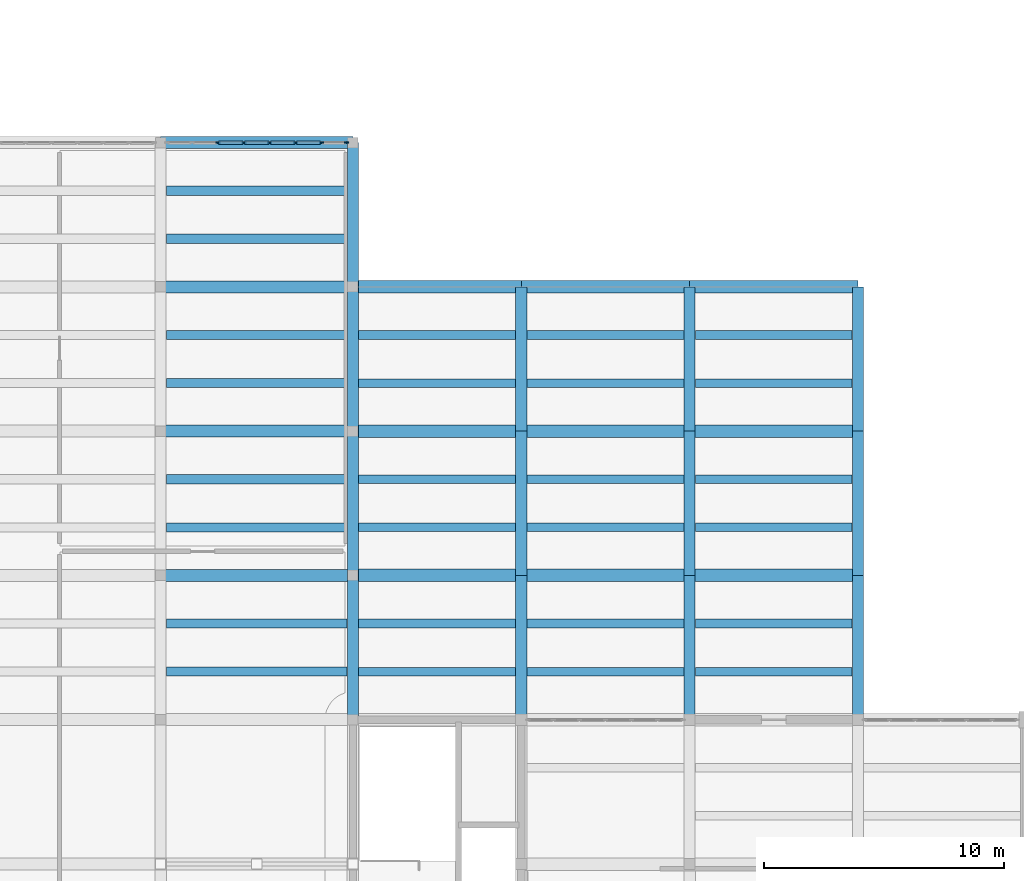
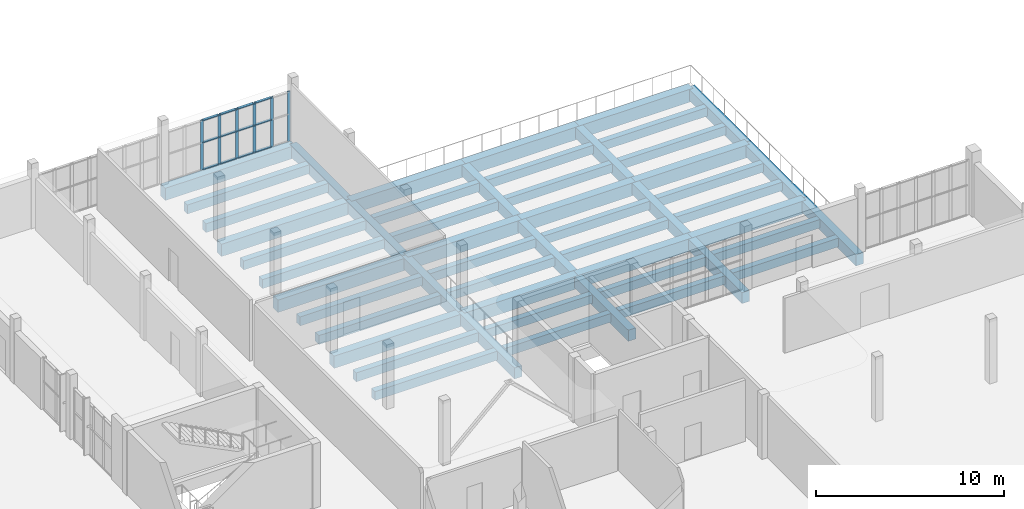
# One storey, part 35 of 70: 52 beams, 18 members, 1 element without a shape of its own.
"""IFC4 building model written with IfcOpenShell, lengths in metres."""

from ifc_helpers import new_model, si_unit, direction, frame, origin, origin_2d, place, context, subcontext, project, spatial, rectangle, extrude, material, layer, layer_set, material_profile, profile_set, type_object, element, aggregate, save


model = new_model("IFC4")

# Units and contexts
model_context = context("Model", 3, precision=1e-05, world=origin(), true_north=direction((0.0, 1.0)))
body_context = subcontext(model_context, "Body", "Model", "MODEL_VIEW")
ifc_project = project(units=[si_unit("LENGTHUNIT", "METRE"), si_unit("AREAUNIT", "SQUARE_METRE"), si_unit("VOLUMEUNIT", "CUBIC_METRE"), si_unit("PLANEANGLEUNIT", "RADIAN"), si_unit("MASSUNIT", "GRAM", prefix="KILO")], contexts=[model_context])

# Site, building, storey
site_placement = place(None, origin())
site = spatial("IfcSite", under=ifc_project, at=site_placement, CompositionType="ELEMENT")
building_placement = place(site_placement, origin())
building = spatial("IfcBuilding", under=site, at=building_placement, Name="Solvane Community Centre", CompositionType="ELEMENT")
storey_placement = place(building_placement, frame((0.0, 0.0, 9.60009765625)))
storey = spatial("IfcBuildingStorey", under=building, at=storey_placement, Name="L02", CompositionType="ELEMENT", Elevation=9.60009765625)

# Curtain wall, members
ifc_material_1 = material(Name="Anodised bronze aluminium AW-6063 T6", Category="aluminium")
ifc_layer = layer(ifc_material_1, 0.18994140625)
ifc_layer_set = layer_set([ifc_layer], Name="Anodised bronze aluminium AW-6063 T6")
curtain_wall_type = type_object("IfcCurtainWallType", Name="Boulevard Bronze Vision Curtain Wall [75x32dm]", PredefinedType="NOTDEFINED", material=ifc_layer_set)
curtain_wall_placement = place(storey_placement, origin())
curtain_wall = element("IfcCurtainWall", 1, at=curtain_wall_placement, inside=storey, type_object=curtain_wall_type, Name="Curtain Wall CW-L02-1322_600-201", PredefinedType="NOTDEFINED")
ifc_material_profile_1 = material_profile(ifc_material_1, rectangle(XDim=0.06005859375, YDim=0.18994140625, at=origin_2d()), Name="CW-M 60x190")
ifc_profile_set_1 = profile_set([ifc_material_profile_1], Name="Anodised bronze aluminium AW-6063 T6")
member_type_1 = type_object("IfcMemberType", Name="Boulevard Mullion 60x190", PredefinedType="MULLION", material=ifc_profile_set_1)
member_1_placement = place(storey_placement, frame((134.386474609375, 60.0, 0.0), z_axis=(0.0, 0.0, 1.0), x_axis=(0.0, 1.0, 0.0)))
member_1 = element("IfcMember", 2, at=member_1_placement, type_object=member_type_1, Name="CW02-75x32 mullion 3", PredefinedType="MULLION", context=body_context, shape_type="SweptSolid", body=[
    extrude(rectangle(XDim=0.06005859375, YDim=0.18994140625, at=origin_2d()), origin(), (0.0, 0.0, 1.0), 3.244873046875),
])
member_2_placement = place(storey_placement, frame((135.462158203125, 60.0, 0.0), z_axis=(0.0, 0.0, 1.0), x_axis=(0.0, 1.0, 0.0)))
member_2 = element("IfcMember", 3, at=member_2_placement, type_object=member_type_1, Name="CW02-75x32 mullion 4", PredefinedType="MULLION", context=body_context, shape_type="SweptSolid", body=[
    extrude(rectangle(XDim=0.06005859375, YDim=0.18994140625, at=origin_2d()), origin(), (0.0, 0.0, 1.0), 3.244873046875),
])
member_3_placement = place(storey_placement, frame((136.537841796875, 60.0, 0.0), z_axis=(0.0, 0.0, 1.0), x_axis=(0.0, 1.0, 0.0)))
member_3 = element("IfcMember", 4, at=member_3_placement, type_object=member_type_1, Name="CW02-75x32 mullion 5", PredefinedType="MULLION", context=body_context, shape_type="SweptSolid", body=[
    extrude(rectangle(XDim=0.06005859375, YDim=0.18994140625, at=origin_2d()), origin(), (0.0, 0.0, 1.0), 3.244873046875),
])
member_4_placement = place(storey_placement, frame((137.613525390625, 60.0, 0.0), z_axis=(0.0, 0.0, 1.0), x_axis=(0.0, 1.0, 0.0)))
member_4 = element("IfcMember", 5, at=member_4_placement, type_object=member_type_1, Name="CW02-75x32 mullion 6", PredefinedType="MULLION", context=body_context, shape_type="SweptSolid", body=[
    extrude(rectangle(XDim=0.06005859375, YDim=0.18994140625, at=origin_2d()), origin(), (0.0, 0.0, 1.0), 3.244873046875),
])
member_5_placement = place(storey_placement, frame((138.689208984375, 60.0, 0.0), z_axis=(0.0, 0.0, 1.0), x_axis=(0.0, 1.0, 0.0)))
member_5 = element("IfcMember", 6, at=member_5_placement, type_object=member_type_1, Name="CW02-75x32 mullion 7", PredefinedType="MULLION", context=body_context, shape_type="SweptSolid", body=[
    extrude(rectangle(XDim=0.06005859375, YDim=0.18994140625, at=origin_2d()), origin(), (0.0, 0.0, 1.0), 3.244873046875),
])
member_6_placement = place(storey_placement, frame((139.735107421875, 60.0, 0.0), z_axis=(0.0, 0.0, 1.0), x_axis=(0.0, 1.0, 0.0)))
member_6 = element("IfcMember", 7, at=member_6_placement, type_object=member_type_1, Name="CW02-75x32 mullion 8", PredefinedType="MULLION", context=body_context, shape_type="SweptSolid", body=[
    extrude(rectangle(XDim=0.06005859375, YDim=0.18994140625, at=origin_2d()), origin(), (0.0, 0.0, 1.0), 3.244873046875),
])
ifc_material_profile_2 = material_profile(ifc_material_1, rectangle(XDim=0.14990234375, YDim=0.06005859375, at=origin_2d()), Name="CW-T 60x150")
ifc_profile_set_2 = profile_set([ifc_material_profile_2], Name="Anodised bronze aluminium AW-6063 T6")
member_type_2 = type_object("IfcMemberType", Name="Boulevard Transom 60x150", PredefinedType="USERDEFINED", material=ifc_profile_set_2)
member_7_placement = place(storey_placement, frame((134.41650390625, 60.0, 0.02978515625), z_axis=(1.0, 0.0, 0.0), x_axis=(0.0, 1.0, 0.0)))
member_7 = element("IfcMember", 8, at=member_7_placement, type_object=member_type_2, Name="CW02-75x32 transom 3.1", ObjectType="TRANSOM", PredefinedType="USERDEFINED", context=body_context, shape_type="SweptSolid", body=[
    extrude(rectangle(XDim=0.14990234375, YDim=0.06005859375, at=origin_2d()), origin(), (0.0, 0.0, 1.0), 1.015625),
])
member_8_placement = place(storey_placement, frame((134.41650390625, 60.0, 1.784912109375), z_axis=(1.0, 0.0, 0.0), x_axis=(0.0, 1.0, 0.0)))
member_8 = element("IfcMember", 9, at=member_8_placement, type_object=member_type_2, Name="CW02-75x32 transom 3.2", ObjectType="TRANSOM", PredefinedType="USERDEFINED", context=body_context, shape_type="SweptSolid", body=[
    extrude(rectangle(XDim=0.14990234375, YDim=0.06005859375, at=origin_2d()), origin(), (0.0, 0.0, 1.0), 1.015625),
])
member_9_placement = place(storey_placement, frame((134.41650390625, 60.0, 3.21484375), z_axis=(1.0, 0.0, 0.0), x_axis=(0.0, 1.0, 0.0)))
member_9 = element("IfcMember", 10, at=member_9_placement, type_object=member_type_2, Name="CW02-75x32 transom 3.3", ObjectType="TRANSOM", PredefinedType="USERDEFINED", context=body_context, shape_type="SweptSolid", body=[
    extrude(rectangle(XDim=0.14990234375, YDim=0.06005859375, at=origin_2d()), origin(), (0.0, 0.0, 1.0), 1.015625),
])
member_10_placement = place(storey_placement, frame((135.4921875, 60.0, 0.02978515625), z_axis=(1.0, 0.0, 0.0), x_axis=(0.0, 1.0, 0.0)))
member_10 = element("IfcMember", 11, at=member_10_placement, type_object=member_type_2, Name="CW02-75x32 transom 4.1", ObjectType="TRANSOM", PredefinedType="USERDEFINED", context=body_context, shape_type="SweptSolid", body=[
    extrude(rectangle(XDim=0.14990234375, YDim=0.06005859375, at=origin_2d()), origin(), (0.0, 0.0, 1.0), 1.015625),
])
member_11_placement = place(storey_placement, frame((135.4921875, 60.0, 1.784912109375), z_axis=(1.0, 0.0, 0.0), x_axis=(0.0, 1.0, 0.0)))
member_11 = element("IfcMember", 12, at=member_11_placement, type_object=member_type_2, Name="CW02-75x32 transom 4.2", ObjectType="TRANSOM", PredefinedType="USERDEFINED", context=body_context, shape_type="SweptSolid", body=[
    extrude(rectangle(XDim=0.14990234375, YDim=0.06005859375, at=origin_2d()), origin(), (0.0, 0.0, 1.0), 1.015625),
])
member_12_placement = place(storey_placement, frame((135.4921875, 60.0, 3.21484375), z_axis=(1.0, 0.0, 0.0), x_axis=(0.0, 1.0, 0.0)))
member_12 = element("IfcMember", 13, at=member_12_placement, type_object=member_type_2, Name="CW02-75x32 transom 4.3", ObjectType="TRANSOM", PredefinedType="USERDEFINED", context=body_context, shape_type="SweptSolid", body=[
    extrude(rectangle(XDim=0.14990234375, YDim=0.06005859375, at=origin_2d()), origin(), (0.0, 0.0, 1.0), 1.015625),
])
member_13_placement = place(storey_placement, frame((136.56787109375, 60.0, 0.02978515625), z_axis=(1.0, 0.0, 0.0), x_axis=(0.0, 1.0, 0.0)))
member_13 = element("IfcMember", 14, at=member_13_placement, type_object=member_type_2, Name="CW02-75x32 transom 5.1", ObjectType="TRANSOM", PredefinedType="USERDEFINED", context=body_context, shape_type="SweptSolid", body=[
    extrude(rectangle(XDim=0.14990234375, YDim=0.06005859375, at=origin_2d()), origin(), (0.0, 0.0, 1.0), 1.015625),
])
member_14_placement = place(storey_placement, frame((136.56787109375, 60.0, 1.784912109375), z_axis=(1.0, 0.0, 0.0), x_axis=(0.0, 1.0, 0.0)))
member_14 = element("IfcMember", 15, at=member_14_placement, type_object=member_type_2, Name="CW02-75x32 transom 5.2", ObjectType="TRANSOM", PredefinedType="USERDEFINED", context=body_context, shape_type="SweptSolid", body=[
    extrude(rectangle(XDim=0.14990234375, YDim=0.06005859375, at=origin_2d()), origin(), (0.0, 0.0, 1.0), 1.015625),
])
member_15_placement = place(storey_placement, frame((136.56787109375, 60.0, 3.21484375), z_axis=(1.0, 0.0, 0.0), x_axis=(0.0, 1.0, 0.0)))
member_15 = element("IfcMember", 16, at=member_15_placement, type_object=member_type_2, Name="CW02-75x32 transom 5.3", ObjectType="TRANSOM", PredefinedType="USERDEFINED", context=body_context, shape_type="SweptSolid", body=[
    extrude(rectangle(XDim=0.14990234375, YDim=0.06005859375, at=origin_2d()), origin(), (0.0, 0.0, 1.0), 1.015625),
])
member_16_placement = place(storey_placement, frame((137.6435546875, 60.0, 0.02978515625), z_axis=(1.0, 0.0, 0.0), x_axis=(0.0, 1.0, 0.0)))
member_16 = element("IfcMember", 17, at=member_16_placement, type_object=member_type_2, Name="CW02-75x32 transom 6.1", ObjectType="TRANSOM", PredefinedType="USERDEFINED", context=body_context, shape_type="SweptSolid", body=[
    extrude(rectangle(XDim=0.14990234375, YDim=0.06005859375, at=origin_2d()), origin(), (0.0, 0.0, 1.0), 1.015625),
])
member_17_placement = place(storey_placement, frame((137.6435546875, 60.0, 1.784912109375), z_axis=(1.0, 0.0, 0.0), x_axis=(0.0, 1.0, 0.0)))
member_17 = element("IfcMember", 18, at=member_17_placement, type_object=member_type_2, Name="CW02-75x32 transom 6.2", ObjectType="TRANSOM", PredefinedType="USERDEFINED", context=body_context, shape_type="SweptSolid", body=[
    extrude(rectangle(XDim=0.14990234375, YDim=0.06005859375, at=origin_2d()), origin(), (0.0, 0.0, 1.0), 1.015625),
])
member_18_placement = place(storey_placement, frame((137.6435546875, 60.0, 3.21484375), z_axis=(1.0, 0.0, 0.0), x_axis=(0.0, 1.0, 0.0)))
member_18 = element("IfcMember", 19, at=member_18_placement, type_object=member_type_2, Name="CW02-75x32 transom 6.3", ObjectType="TRANSOM", PredefinedType="USERDEFINED", context=body_context, shape_type="SweptSolid", body=[
    extrude(rectangle(XDim=0.14990234375, YDim=0.06005859375, at=origin_2d()), origin(), (0.0, 0.0, 1.0), 1.015625),
])
aggregate(curtain_wall, [member_1, member_2, member_3, member_4, member_5, member_6, member_7, member_8, member_9, member_10, member_11, member_12, member_13, member_14, member_15, member_16, member_17, member_18])

# Beams
ifc_material_2 = material(Name="Concrete C35/45", Category="concrete")
ifc_material_profile_3 = material_profile(ifc_material_2, rectangle(XDim=0.4599609375, YDim=0.719970703125, at=origin_2d()), Name="RC 460x720")
ifc_profile_set_3 = profile_set([ifc_material_profile_3], Name="Concrete C35/45")
beam_type_1 = type_object("IfcBeamType", Name="RC Cloister Beam 460x720", PredefinedType="BEAM", material=ifc_profile_set_3)
for number, where, z_axis, x_axis, name in (
    (20, (140.0, 36.0, -0.580078125), (0.0, 1.0, 0.0), (-1.0, 0.0, 0.0), "Beam BM-L02-1400_360-1400_420"),
    (21, (140.0, 42.0, -0.580078125), (0.0, 1.0, 0.0), (-1.0, 0.0, 0.0), "Beam BM-L02-1400_420-1400_480"),
    (22, (140.0, 48.0, -0.580078125), (0.0, 1.0, 0.0), (-1.0, 0.0, 0.0), "Beam BM-L02-1400_480-1400_540"),
    (23, (140.0, 54.0, -0.580078125), (0.0, 1.0, 0.0), (-1.0, 0.0, 0.0), "Beam BM-L02-1400_540-1400_600"),
    (24, (147.0, 36.0, -0.580078125), (0.0, 1.0, 0.0), (-1.0, 0.0, 0.0), "Beam BM-L02-1470_360-1470_420"),
    (25, (147.0, 42.0, -0.580078125), (0.0, 1.0, 0.0), (-1.0, 0.0, 0.0), "Beam BM-L02-1470_420-1470_480"),
    (26, (147.0, 48.0, -0.580078125), (0.0, 1.0, 0.0), (-1.0, 0.0, 0.0), "Beam BM-L02-1470_480-1470_540"),
    (27, (154.0, 36.0, -0.580078125), (0.0, 1.0, 0.0), (-1.0, 0.0, 0.0), "Beam BM-L02-1540_360-1540_420"),
    (28, (154.0, 42.0, -0.580078125), (0.0, 1.0, 0.0), (-1.0, 0.0, 0.0), "Beam BM-L02-1540_420-1540_480"),
    (29, (154.0, 48.0, -0.580078125), (0.0, 1.0, 0.0), (-1.0, 0.0, 0.0), "Beam BM-L02-1540_480-1540_540"),
    (30, (161.0, 36.0, -0.580078125), (0.0, 1.0, 0.0), (-1.0, 0.0, 0.0), "Beam BM-L02-1610_360-1610_420"),
    (31, (161.0, 42.0, -0.580078125), (0.0, 1.0, 0.0), (-1.0, 0.0, 0.0), "Beam BM-L02-1610_420-1610_480"),
    (32, (161.0, 48.0, -0.580078125), (0.0, 1.0, 0.0), (-1.0, 0.0, 0.0), "Beam BM-L02-1610_480-1610_540"),
):
    element("IfcBeam", number, at=place(storey_placement, frame(where, z_axis=z_axis, x_axis=x_axis)), inside=storey, type_object=beam_type_1, Name=name, PredefinedType="BEAM", context=body_context, shape_type="SweptSolid", body=[
        extrude(rectangle(XDim=0.4599609375, YDim=0.719970703125, at=origin_2d()), origin(), (0.0, 0.0, 1.0), 6.0),
    ])
ifc_material_profile_4 = material_profile(ifc_material_2, rectangle(XDim=0.52001953125, YDim=0.830078125, at=origin_2d()), Name="RC 520x830")
ifc_profile_set_4 = profile_set([ifc_material_profile_4], Name="Concrete C35/45")
beam_type_2 = type_object("IfcBeamType", Name="RC Medium Girder 520x830", PredefinedType="USERDEFINED", material=ifc_profile_set_4)
for number, where, z_axis, x_axis, name in (
    (33, (140.0, 42.0, -0.635009765625), (1.0, 0.0, 0.0), (0.0, 1.0, 0.0), "Beam BM-L02-1400_420-1470_420"),
    (34, (147.0, 42.0, -0.635009765625), (1.0, 0.0, 0.0), (0.0, 1.0, 0.0), "Beam BM-L02-1470_420-1540_420"),
    (35, (154.0, 42.0, -0.635009765625), (1.0, 0.0, 0.0), (0.0, 1.0, 0.0), "Beam BM-L02-1540_420-1610_420"),
    (36, (140.0, 48.0, -0.635009765625), (1.0, 0.0, 0.0), (0.0, 1.0, 0.0), "Beam BM-L02-1400_480-1470_480"),
    (37, (147.0, 48.0, -0.635009765625), (1.0, 0.0, 0.0), (0.0, 1.0, 0.0), "Beam BM-L02-1470_480-1540_480"),
    (38, (154.0, 48.0, -0.635009765625), (1.0, 0.0, 0.0), (0.0, 1.0, 0.0), "Beam BM-L02-1540_480-1610_480"),
    (39, (140.0, 54.0, -0.635009765625), (1.0, 0.0, 0.0), (0.0, 1.0, 0.0), "Beam BM-L02-1400_540-1470_540"),
    (40, (147.0, 54.0, -0.635009765625), (1.0, 0.0, 0.0), (0.0, 1.0, 0.0), "Beam BM-L02-1470_540-1540_540"),
    (41, (154.0, 54.0, -0.635009765625), (1.0, 0.0, 0.0), (0.0, 1.0, 0.0), "Beam BM-L02-1540_540-1610_540"),
):
    element("IfcBeam", number, at=place(storey_placement, frame(where, z_axis=z_axis, x_axis=x_axis)), inside=storey, type_object=beam_type_2, Name=name, ObjectType="GIRDER", PredefinedType="USERDEFINED", context=body_context, shape_type="SweptSolid", body=[
        extrude(rectangle(XDim=0.52001953125, YDim=0.830078125, at=origin_2d()), origin(), (0.0, 0.0, 1.0), 7.0),
    ])
ifc_material_profile_5 = material_profile(ifc_material_2, rectangle(XDim=0.5, YDim=0.800048828125, at=origin_2d()), Name="RC 500x800")
ifc_profile_set_5 = profile_set([ifc_material_profile_5], Name="Concrete C35/45")
beam_type_3 = type_object("IfcBeamType", Name="RC Primary Girder 500x800", PredefinedType="USERDEFINED", material=ifc_profile_set_5)
for number, where, z_axis, x_axis, name in (
    (42, (132.0, 42.0, -0.6201171875), (1.0, 0.0, 0.0), (0.0, 1.0, 0.0), "Beam BM-L02-1320_420-1400_420"),
    (43, (132.0, 48.0, -0.6201171875), (1.0, 0.0, 0.0), (0.0, 1.0, 0.0), "Beam BM-L02-1320_480-1400_480"),
    (44, (132.0, 54.0, -0.6201171875), (1.0, 0.0, 0.0), (0.0, 1.0, 0.0), "Beam BM-L02-1320_540-1400_540"),
    (45, (132.0, 60.0, -0.6201171875), (1.0, 0.0, 0.0), (0.0, 1.0, 0.0), "Beam BM-L02-1320_600-1400_600"),
):
    element("IfcBeam", number, at=place(storey_placement, frame(where, z_axis=z_axis, x_axis=x_axis)), inside=storey, type_object=beam_type_3, Name=name, ObjectType="GIRDER", PredefinedType="USERDEFINED", context=body_context, shape_type="SweptSolid", body=[
        extrude(rectangle(XDim=0.5, YDim=0.800048828125, at=origin_2d()), origin(), (0.0, 0.0, 1.0), 8.0),
    ])
ifc_material_profile_6 = material_profile(ifc_material_2, rectangle(XDim=0.3798828125, YDim=0.580078125, at=origin_2d()), Name="RC 380x580")
ifc_profile_set_6 = profile_set([ifc_material_profile_6], Name="Concrete C35/45")
beam_type_4 = type_object("IfcBeamType", Name="RC Short Joist 380x580", PredefinedType="JOIST", material=ifc_profile_set_6)
for number, where, z_axis, x_axis, name in (
    (46, (132.239990234375, 38.0, -0.510009765625), (1.0, 0.0, 0.0), (0.0, 1.0, 0.0), "Beam BM-L02-1322_380-1398_380"),
    (47, (132.239990234375, 40.0, -0.510009765625), (1.0, 0.0, 0.0), (0.0, 1.0, 0.0), "Beam BM-L02-1322_400-1398_400"),
    (48, (132.239990234375, 44.0, -0.510009765625), (1.0, 0.0, 0.0), (0.0, 1.0, 0.0), "Beam BM-L02-1322_440-1398_440"),
    (49, (132.239990234375, 46.0, -0.510009765625), (1.0, 0.0, 0.0), (0.0, 1.0, 0.0), "Beam BM-L02-1322_460-1398_460"),
    (50, (132.239990234375, 50.0, -0.510009765625), (1.0, 0.0, 0.0), (0.0, 1.0, 0.0), "Beam BM-L02-1322_500-1398_500"),
    (51, (132.239990234375, 52.0, -0.510009765625), (1.0, 0.0, 0.0), (0.0, 1.0, 0.0), "Beam BM-L02-1322_520-1398_520"),
    (52, (132.239990234375, 56.0, -0.510009765625), (1.0, 0.0, 0.0), (0.0, 1.0, 0.0), "Beam BM-L02-1322_560-1398_560"),
    (53, (132.239990234375, 58.0, -0.510009765625), (1.0, 0.0, 0.0), (0.0, 1.0, 0.0), "Beam BM-L02-1322_580-1398_580"),
):
    element("IfcBeam", number, at=place(storey_placement, frame(where, z_axis=z_axis, x_axis=x_axis)), inside=storey, type_object=beam_type_4, Name=name, PredefinedType="JOIST", context=body_context, shape_type="SweptSolid", body=[
        extrude(rectangle(XDim=0.3798828125, YDim=0.580078125, at=origin_2d()), origin(), (0.0, 0.0, 1.0), 7.52001953125),
    ])
ifc_material_profile_7 = material_profile(ifc_material_2, rectangle(XDim=0.360107421875, YDim=0.56005859375, at=origin_2d()), Name="RC 360x560")
ifc_profile_set_7 = profile_set([ifc_material_profile_7], Name="Concrete C35/45")
beam_type_5 = type_object("IfcBeamType", Name="RC Terrace Joist 360x560", PredefinedType="JOIST", material=ifc_profile_set_7)
for number, where, z_axis, x_axis, name in (
    (54, (140.239990234375, 38.0, -0.5), (1.0, 0.0, 0.0), (0.0, 1.0, 0.0), "Beam BM-L02-1402_380-1468_380"),
    (55, (140.239990234375, 40.0, -0.5), (1.0, 0.0, 0.0), (0.0, 1.0, 0.0), "Beam BM-L02-1402_400-1468_400"),
    (56, (140.239990234375, 44.0, -0.5), (1.0, 0.0, 0.0), (0.0, 1.0, 0.0), "Beam BM-L02-1402_440-1468_440"),
    (57, (140.239990234375, 46.0, -0.5), (1.0, 0.0, 0.0), (0.0, 1.0, 0.0), "Beam BM-L02-1402_460-1468_460"),
    (58, (140.239990234375, 50.0, -0.5), (1.0, 0.0, 0.0), (0.0, 1.0, 0.0), "Beam BM-L02-1402_500-1468_500"),
    (59, (140.239990234375, 52.0, -0.5), (1.0, 0.0, 0.0), (0.0, 1.0, 0.0), "Beam BM-L02-1402_520-1468_520"),
    (60, (147.239990234375, 38.0, -0.5), (1.0, 0.0, 0.0), (0.0, 1.0, 0.0), "Beam BM-L02-1472_380-1538_380"),
    (61, (147.239990234375, 40.0, -0.5), (1.0, 0.0, 0.0), (0.0, 1.0, 0.0), "Beam BM-L02-1472_400-1538_400"),
    (62, (147.239990234375, 44.0, -0.5), (1.0, 0.0, 0.0), (0.0, 1.0, 0.0), "Beam BM-L02-1472_440-1538_440"),
    (63, (147.239990234375, 46.0, -0.5), (1.0, 0.0, 0.0), (0.0, 1.0, 0.0), "Beam BM-L02-1472_460-1538_460"),
    (64, (147.239990234375, 50.0, -0.5), (1.0, 0.0, 0.0), (0.0, 1.0, 0.0), "Beam BM-L02-1472_500-1538_500"),
    (65, (147.239990234375, 52.0, -0.5), (1.0, 0.0, 0.0), (0.0, 1.0, 0.0), "Beam BM-L02-1472_520-1538_520"),
    (66, (154.239990234375, 38.0, -0.5), (1.0, 0.0, 0.0), (0.0, 1.0, 0.0), "Beam BM-L02-1542_380-1608_380"),
    (67, (154.239990234375, 40.0, -0.5), (1.0, 0.0, 0.0), (0.0, 1.0, 0.0), "Beam BM-L02-1542_400-1608_400"),
    (68, (154.239990234375, 44.0, -0.5), (1.0, 0.0, 0.0), (0.0, 1.0, 0.0), "Beam BM-L02-1542_440-1608_440"),
    (69, (154.239990234375, 46.0, -0.5), (1.0, 0.0, 0.0), (0.0, 1.0, 0.0), "Beam BM-L02-1542_460-1608_460"),
    (70, (154.239990234375, 50.0, -0.5), (1.0, 0.0, 0.0), (0.0, 1.0, 0.0), "Beam BM-L02-1542_500-1608_500"),
    (71, (154.239990234375, 52.0, -0.5), (1.0, 0.0, 0.0), (0.0, 1.0, 0.0), "Beam BM-L02-1542_520-1608_520"),
):
    element("IfcBeam", number, at=place(storey_placement, frame(where, z_axis=z_axis, x_axis=x_axis)), inside=storey, type_object=beam_type_5, Name=name, PredefinedType="JOIST", context=body_context, shape_type="SweptSolid", body=[
        extrude(rectangle(XDim=0.360107421875, YDim=0.56005859375, at=origin_2d()), origin(), (0.0, 0.0, 1.0), 6.52001953125),
    ])

save(model, "model.ifc")
